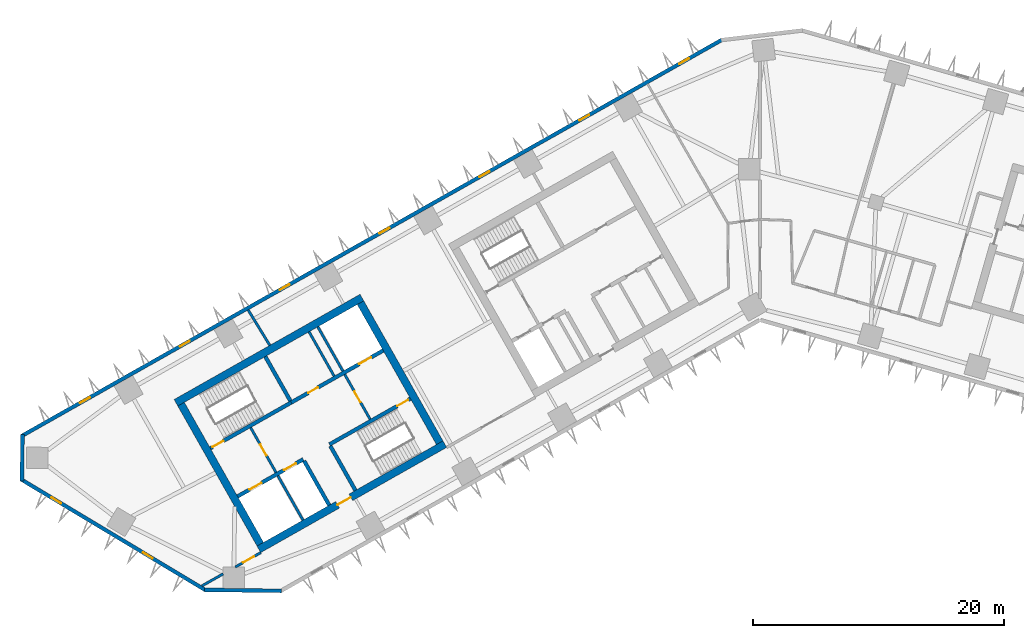
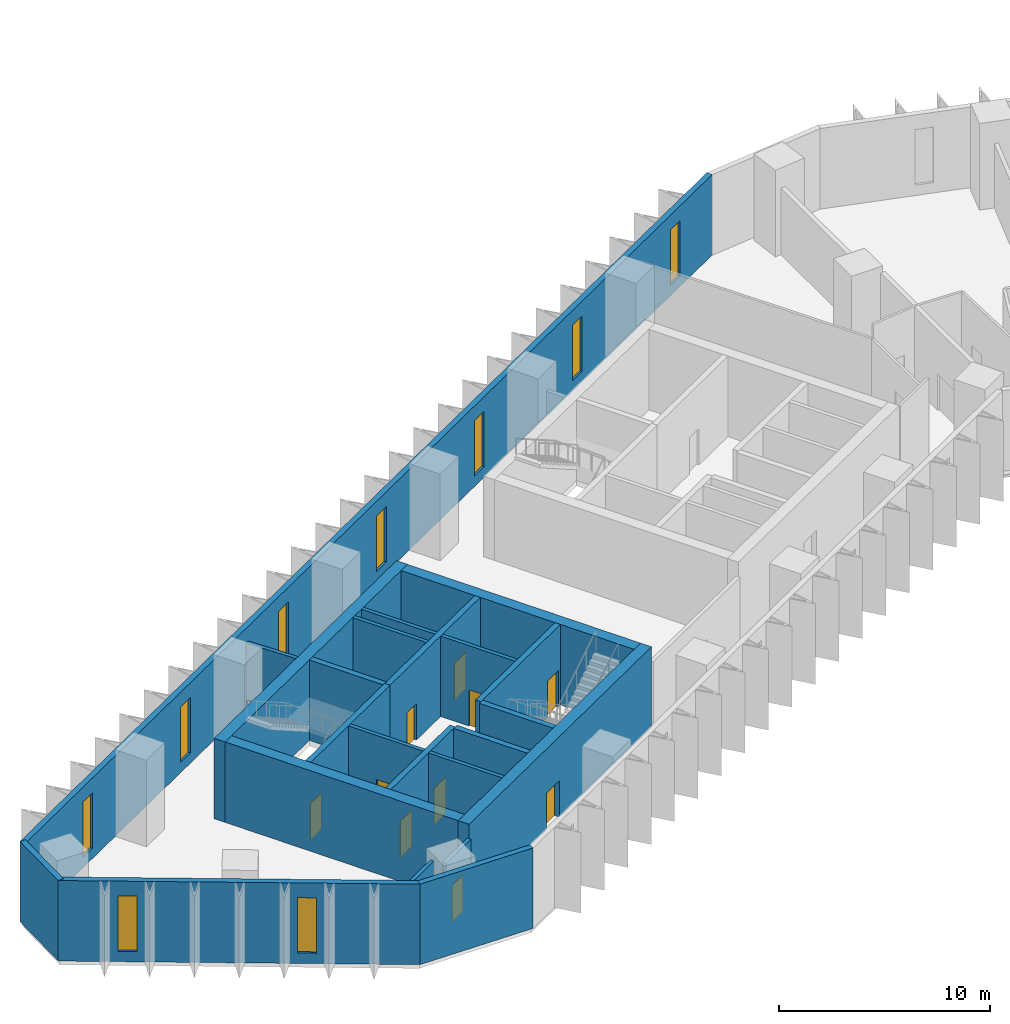
# One storey, part 3 of 11: 23 walls, 10 doors, 9 windows, 19 openings.
"""IFC4 building model written with IfcOpenShell, lengths in metres."""

import ifcopenshell
import ifcopenshell.guid

model = None  # the IFC model being written
_history = None  # IfcOwnerHistory: only IFC2X3 demands one
_inside = {}  # id of a spatial element -> (the spatial element, [elements in it])
_under = {}  # id of a project, library or spatial element -> (it, [spatial elements below it])
_declared = {}  # id of a project -> (the project, [libraries it declares])
_typed = {}  # id of a type object -> (the type object, [elements of that type])
_made_of = {}  # id of a material, layer set ... -> (it, [elements and type objects made of it])


def new_model(schema):
    """Start an empty IFC model of exactly this schema.

    Asked for "IFC4X3", IfcOpenShell would pick the latest addendum, in which some entities
    have other attributes; the version numbers below select the first issue.
    IFC2X3 requires an IfcOwnerHistory on every rooted entity: one is made here for all.
    """
    global model, _history
    if schema == "IFC4X3":
        model = ifcopenshell.file(schema_version=(4, 3, 0, 0))
    else:
        model = ifcopenshell.file(schema=schema)
    _inside.clear()
    _under.clear()
    _declared.clear()
    _typed.clear()
    _made_of.clear()
    _history = None
    if model.schema == "IFC2X3":
        org = make("IfcOrganization", Name="unknown")
        user = make(
            "IfcPersonAndOrganization",
            ThePerson=make("IfcPerson", FamilyName="unknown"),
            TheOrganization=org,
        )
        app = make(
            "IfcApplication",
            ApplicationDeveloper=org,
            Version="unknown",
            ApplicationFullName="unknown",
            ApplicationIdentifier="unknown",
        )
        _history = make(
            "IfcOwnerHistory",
            OwningUser=user,
            OwningApplication=app,
            ChangeAction="ADDED",
            CreationDate=0,
        )
    return model


def make(cls, **values):
    """One entity of the class cls with the attributes given. An attribute that is None is left unset."""
    return model.create_entity(
        cls, **{name: value for name, value in values.items() if value is not None}
    )


def rooted(cls, **values):
    """An entity with a GlobalId (a new one), such as an element, a storey or a relation."""
    return make(cls, GlobalId=ifcopenshell.guid.new(), OwnerHistory=_history, **values)


def si_unit(unit_type, name, prefix=None):
    """IfcSIUnit, for example si_unit("LENGTHUNIT", "METRE", prefix="MILLI")."""
    return make("IfcSIUnit", UnitType=unit_type, Prefix=prefix, Name=name)


def assignment(units):
    """IfcUnitAssignment: the units of a project."""
    return None if units is None else make("IfcUnitAssignment", Units=units)


def point(xyz):
    """IfcCartesianPoint."""
    return None if xyz is None else make("IfcCartesianPoint", Coordinates=xyz)


def direction(xyz):
    """IfcDirection."""
    return None if xyz is None else make("IfcDirection", DirectionRatios=xyz)


def frame(location, z_axis=None, x_axis=None):
    """IfcAxis2Placement3D, a coordinate frame: its origin and axes. An axis left out is left unset."""
    return make(
        "IfcAxis2Placement3D",
        Location=point(location),
        Axis=direction(z_axis),
        RefDirection=direction(x_axis),
    )


def frame_2d(location, x_axis=None):
    """IfcAxis2Placement2D, a coordinate frame in the plane: its origin and x axis."""
    return make(
        "IfcAxis2Placement2D", Location=point(location), RefDirection=direction(x_axis)
    )


def origin():
    """The frame at (0, 0, 0) with its axes left unset."""
    return frame((0.0, 0.0, 0.0))


def place(relative_to, where):
    """IfcLocalPlacement: puts the frame where relative to a parent placement (None: the world)."""
    return make(
        "IfcLocalPlacement", PlacementRelTo=relative_to, RelativePlacement=where
    )


def context(
    kind, dimensions, precision=None, world=None, true_north=None, identifier=None
):
    """IfcGeometricRepresentationContext, for example the 3D "Model" context."""
    return make(
        "IfcGeometricRepresentationContext",
        ContextIdentifier=identifier,
        ContextType=kind,
        CoordinateSpaceDimension=dimensions,
        Precision=precision,
        WorldCoordinateSystem=world,
        TrueNorth=true_north,
    )


def subcontext(parent, identifier, kind, view, scale=None):
    """IfcGeometricRepresentationSubContext, for example "Body" below "Model"."""
    return make(
        "IfcGeometricRepresentationSubContext",
        ContextIdentifier=identifier,
        ContextType=kind,
        ParentContext=parent,
        TargetScale=scale,
        TargetView=view,
    )


def project(units=None, contexts=None):
    """IfcProject with its units and contexts."""
    return rooted(
        "IfcProject",
        Name="project",
        RepresentationContexts=contexts,
        UnitsInContext=assignment(units),
    )


def spatial(cls, under=None, at=None, **own):
    """A site, building, storey or space (cls), placed at a placement, below another one or the project."""
    s = rooted(cls, ObjectPlacement=at, **own)
    if under is not None:
        _under.setdefault(under.id(), (under, []))[1].append(s)
    return s


def profile(cls, at=None, kind="AREA", **sizes):
    """A parametric profile (cls). Its sizes go by their IFC names, for example OverallWidth=200.0."""
    return make(cls, ProfileType=kind, Position=at, **sizes)


def rectangle(**sizes):
    """IfcRectangleProfileDef."""
    return profile("IfcRectangleProfileDef", **sizes)


def extrude(swept, where, along, depth):
    """IfcExtrudedAreaSolid: the profile swept, set in the frame where, extruded along a direction by depth."""
    return make(
        "IfcExtrudedAreaSolid",
        SweptArea=swept,
        Position=where,
        ExtrudedDirection=direction(along),
        Depth=depth,
    )


def shape(context_of_items, identifier, shape_type, items):
    """IfcShapeRepresentation: the items that make up one representation, for example the "Body"."""
    return make(
        "IfcShapeRepresentation",
        ContextOfItems=context_of_items,
        RepresentationIdentifier=identifier,
        RepresentationType=shape_type,
        Items=items,
    )


def material(Name=None, Category=None):
    """IfcMaterial."""
    return make("IfcMaterial", Name=Name, Category=Category)


def layer(
    of_material, thickness, ventilated=None, Name=None, Category=None, Priority=None
):
    """IfcMaterialLayer: one layer of a wall or slab, of a material (None: an air gap)."""
    return make(
        "IfcMaterialLayer",
        Material=of_material,
        LayerThickness=thickness,
        IsVentilated=ventilated,
        Name=Name,
        Category=Category,
        Priority=Priority,
    )


def layer_set(layers, Name=None):
    """IfcMaterialLayerSet."""
    return make("IfcMaterialLayerSet", MaterialLayers=layers, LayerSetName=Name)


def made_of(thing, what):
    """Note that an element or type object is made of a material, layer set ...; save() writes the relation."""
    if what is not None:
        _made_of.setdefault(what.id(), (what, []))[1].append(thing)
    return thing


def type_object(cls, material=None, **own):
    """A type object (cls), such as IfcWallType, which elements share."""
    return made_of(rooted(cls, **own), material)


def element(
    cls,
    number,
    at=None,
    inside=None,
    cuts=None,
    type_object=None,
    material=None,
    context=None,
    identifier="Body",
    shape_type=None,
    held_by="IfcProductDefinitionShape",
    body=None,
    shapes=None,
    **own,
):
    """One element of the class cls, such as IfcWall. Its Tag is "e" and its number.

    at: its placement. inside: the storey or other place that contains it. cuts: it is an
    opening in that element (IfcRelVoidsElement). A single representation is given by context,
    identifier, shape_type and body (its items); several are given by shapes. held_by: the class
    of the entity that holds the representations. save() writes the other relations.
    """
    e = rooted(cls, Tag="e%d" % number, ObjectPlacement=at, **own)
    if body is not None:
        shapes = [shape(context, identifier, shape_type, body)]
    if shapes is not None:
        e.Representation = make(held_by, Representations=shapes)
    if inside is not None:
        _inside.setdefault(inside.id(), (inside, []))[1].append(e)
    if cuts is not None:
        rooted(
            "IfcRelVoidsElement", RelatingBuildingElement=cuts, RelatedOpeningElement=e
        )
    if type_object is not None:
        _typed.setdefault(type_object.id(), (type_object, []))[1].append(e)
    return made_of(e, material)


def fill(opening, filler):
    """IfcRelFillsElement: the door or window that sits in an opening."""
    return rooted(
        "IfcRelFillsElement",
        RelatingOpeningElement=opening,
        RelatedBuildingElement=filler,
    )


def aggregate(whole, parts):
    """IfcRelAggregates: a whole, such as a stair, and the parts it consists of."""
    return rooted("IfcRelAggregates", RelatingObject=whole, RelatedObjects=parts)


def save(model, path):
    """Write the relations noted so far, then the file.

    IfcRelAggregates (storeys below a building ...), IfcRelContainedInSpatialStructure (elements
    in a storey), IfcRelDefinesByType, IfcRelAssociatesMaterial and IfcRelDeclares: one each for
    every whole, place, type object, material and project.
    """
    for whole, parts in _under.values():
        aggregate(whole, parts)
    for where, things in _inside.values():
        rooted(
            "IfcRelContainedInSpatialStructure",
            RelatedElements=things,
            RelatingStructure=where,
        )
    for kind, things in _typed.values():
        rooted("IfcRelDefinesByType", RelatedObjects=things, RelatingType=kind)
    for what, things in _made_of.values():
        rooted("IfcRelAssociatesMaterial", RelatedObjects=things, RelatingMaterial=what)
    for by, libraries in _declared.values():
        rooted("IfcRelDeclares", RelatingContext=by, RelatedDefinitions=libraries)
    model.write(path)


model = new_model("IFC4")

# Units and contexts
model_context = context("Model", 3, precision=1e-05, world=origin(), true_north=direction((0.0, 1.0)))
body_context = subcontext(model_context, "Body", "Model", "MODEL_VIEW")
ifc_project = project(units=[si_unit("LENGTHUNIT", "METRE"), si_unit("AREAUNIT", "SQUARE_METRE"), si_unit("VOLUMEUNIT", "CUBIC_METRE"), si_unit("PLANEANGLEUNIT", "RADIAN"), si_unit("MASSUNIT", "GRAM", prefix="KILO")], contexts=[model_context])

# Site, building, storey
site_placement = place(None, origin())
site = spatial("IfcSite", under=ifc_project, at=site_placement, CompositionType="ELEMENT")
building_placement = place(site_placement, origin())
building = spatial("IfcBuilding", under=site, at=building_placement, Name="Binnacle Exchange Tower", CompositionType="ELEMENT")
storey_placement = place(building_placement, frame((0.0, 0.0, 86.5)))
storey = spatial("IfcBuildingStorey", under=building, at=storey_placement, Name="L17", CompositionType="ELEMENT", Elevation=86.5)

# Wall, openings, doors
ifc_material_1 = material(Name="Concrete C70/85", Category="concrete")
ifc_layer_1 = layer(ifc_material_1, 0.300048828125)
ifc_layer_set_1 = layer_set([ifc_layer_1], Name="Core wall - front 300")
wall_type_1 = type_object("IfcWallType", Name="Core wall - front 300", PredefinedType="SOLIDWALL", material=ifc_layer_set_1)
wall_1_placement = place(storey_placement, frame((-41.555908203125, 33.9609375, 0.0), z_axis=(0.0, 0.0, 1.0), x_axis=(0.870343731308, 0.492444706919, 0.0)))
wall_1 = element("IfcWall", 1, at=wall_1_placement, inside=storey, type_object=wall_type_1, Name="Core wall CRWA2", PredefinedType="SOLIDWALL", context=body_context, shape_type="SweptSolid", body=[
    extrude(rectangle(XDim=5.999755859375, YDim=0.300048828125, at=frame_2d((3.0, 0.0))), origin(), (0.0, 0.0, 1.0), 4.64990234375),
])
opening_1_placement = place(wall_1_placement, frame((1.099853515625, 0.0, 0.0)))
opening_1 = element("IfcOpeningElement", 2, at=opening_1_placement, cuts=wall_1, Name="Opening LD12", PredefinedType="OPENING", context=body_context, shape_type="SweptSolid", body=[
    extrude(rectangle(XDim=1.10009765625, YDim=2.10009765625, at=frame_2d((0.550048828125, 1.050048828125))), frame((0.0, 0.159912109375, 0.0), z_axis=(0.0, -1.0, 0.0), x_axis=(1.0, 0.0, 0.0)), (0.0, 0.0, 1.0), 0.320068359375),
])
opening_2_placement = place(wall_1_placement, frame((4.25, 0.0, 0.0)))
opening_2 = element("IfcOpeningElement", 3, at=opening_2_placement, cuts=wall_1, Name="Opening LD8", PredefinedType="OPENING", context=body_context, shape_type="SweptSolid", body=[
    extrude(rectangle(XDim=1.10009765625, YDim=2.10009765625, at=frame_2d((0.550048828125, 1.050048828125))), frame((0.0, 0.159912109375, 0.0), z_axis=(0.0, -1.0, 0.0), x_axis=(1.0, 0.0, 0.0)), (0.0, 0.0, 1.0), 0.320068359375),
])
ifc_material_2 = material(Name="Steel door leaf", Category="steel")
door_type_1 = type_object("IfcDoorType", Name="Fire door - lift landing 1100", OperationType="NOTDEFINED", PredefinedType="DOOR", material=ifc_material_2)
door_1_placement = place(opening_1_placement, origin())
door_1 = element("IfcDoor", 4, at=door_1_placement, inside=storey, type_object=door_type_1, Name="Landing door LD12 L17", OperationType="DOUBLE_DOOR_SLIDING", OverallHeight=2.10009765625, OverallWidth=1.10009765625, PredefinedType="DOOR", context=body_context, shape_type="SweptSolid", body=[
    extrude(rectangle(XDim=1.10009765625, YDim=2.10009765625, at=frame_2d((0.550048828125, 1.050048828125))), frame((0.0, 0.02490234375, 0.0), z_axis=(0.0, -1.0, 0.0), x_axis=(1.0, 0.0, 0.0)), (0.0, 0.0, 1.0), 0.050048828125),
])
fill(opening_1, door_1)
door_2_placement = place(opening_2_placement, origin())
door_2 = element("IfcDoor", 5, at=door_2_placement, inside=storey, type_object=door_type_1, Name="Landing door LD8 L17", OperationType="DOUBLE_DOOR_SLIDING", OverallHeight=2.10009765625, OverallWidth=1.10009765625, PredefinedType="DOOR", context=body_context, shape_type="SweptSolid", body=[
    extrude(rectangle(XDim=1.10009765625, YDim=2.10009765625, at=frame_2d((0.550048828125, 1.050048828125))), frame((0.0, 0.02490234375, 0.0), z_axis=(0.0, -1.0, 0.0), x_axis=(1.0, 0.0, 0.0)), (0.0, 0.0, 1.0), 0.050048828125),
])
fill(opening_2, door_2)

wall_2_placement = place(storey_placement, frame((-37.281982421875, 41.4345703125, 0.0), z_axis=(0.0, 0.0, 1.0), x_axis=(0.870356516133, 0.492422110414, 0.0)))
wall_2 = element("IfcWall", 6, at=wall_2_placement, inside=storey, type_object=wall_type_1, Name="Core wall CRWA5", PredefinedType="SOLIDWALL", context=body_context, shape_type="SweptSolid", body=[
    extrude(rectangle(XDim=8.399658203125, YDim=0.300048828125, at=frame_2d((4.19970703125, 0.0))), origin(), (0.0, 0.0, 1.0), 4.64990234375),
])
opening_3_placement = place(wall_2_placement, frame((6.199951171875, 0.0, 0.0)))
opening_3 = element("IfcOpeningElement", 7, at=opening_3_placement, cuts=wall_2, Name="Opening LD13", PredefinedType="OPENING", context=body_context, shape_type="SweptSolid", body=[
    extrude(rectangle(XDim=1.10009765625, YDim=2.10009765625, at=frame_2d((0.550048828125, 1.050048828125))), frame((0.0, 0.159912109375, 0.0), z_axis=(0.0, -1.0, 0.0), x_axis=(1.0, 0.0, 0.0)), (0.0, 0.0, 1.0), 0.320068359375),
])
opening_4_placement = place(wall_2_placement, frame((1.550048828125, 0.0, 0.0)))
opening_4 = element("IfcOpeningElement", 8, at=opening_4_placement, cuts=wall_2, Name="Opening DA10", PredefinedType="OPENING", context=body_context, shape_type="SweptSolid", body=[
    extrude(rectangle(XDim=0.89990234375, YDim=2.10009765625, at=frame_2d((0.449951171875, 1.050048828125))), frame((0.0, 0.159912109375, 0.0), z_axis=(0.0, -1.0, 0.0), x_axis=(1.0, 0.0, 0.0)), (0.0, 0.0, 1.0), 0.320068359375),
])
door_3_placement = place(opening_3_placement, origin())
door_3 = element("IfcDoor", 9, at=door_3_placement, inside=storey, type_object=door_type_1, Name="Landing door LD13 L17", OperationType="DOUBLE_DOOR_SLIDING", OverallHeight=2.10009765625, OverallWidth=1.10009765625, PredefinedType="DOOR", context=body_context, shape_type="SweptSolid", body=[
    extrude(rectangle(XDim=1.10009765625, YDim=2.10009765625, at=frame_2d((0.550048828125, 1.050048828125))), frame((0.0, 0.02490234375, 0.0), z_axis=(0.0, -1.0, 0.0), x_axis=(1.0, 0.0, 0.0)), (0.0, 0.0, 1.0), 0.050048828125),
])
fill(opening_3, door_3)
door_type_2 = type_object("IfcDoorType", Name="Fire door 900", OperationType="NOTDEFINED", PredefinedType="DOOR", material=ifc_material_2)
door_4_placement = place(opening_4_placement, origin())
door_4 = element("IfcDoor", 10, at=door_4_placement, inside=storey, type_object=door_type_2, Name="Core room door LINEN AND SUPPLIES STORE", OperationType="SINGLE_SWING_LEFT", OverallHeight=2.10009765625, OverallWidth=0.89990234375, PredefinedType="DOOR", context=body_context, shape_type="SweptSolid", body=[
    extrude(rectangle(XDim=0.89990234375, YDim=2.10009765625, at=frame_2d((0.449951171875, 1.050048828125))), frame((0.0, 0.02490234375, 0.0), z_axis=(0.0, -1.0, 0.0), x_axis=(1.0, 0.0, 0.0)), (0.0, 0.0, 1.0), 0.050048828125),
])
fill(opening_4, door_4)

# Wall
wall_3_placement = place(storey_placement, frame((-36.260009765625, 36.784912109375, 0.0), z_axis=(0.0, 0.0, 1.0), x_axis=(0.492440575896, -0.870346068648, 0.0)))
element("IfcWall", 11, at=wall_3_placement, inside=storey, type_object=wall_type_1, Name="Core wall CRWA13", PredefinedType="SOLIDWALL", context=body_context, shape_type="SweptSolid", body=[
    extrude(rectangle(XDim=4.050048828125, YDim=0.300048828125, at=frame_2d((2.02490234375, 0.0))), origin(), (0.0, 0.0, 1.0), 4.64990234375),
])

# Wall, opening, door
ifc_layer_2 = layer(ifc_material_1, 0.60009765625)
ifc_layer_set_2 = layer_set([ifc_layer_2], Name="Core wall - outer 600")
wall_type_2 = type_object("IfcWallType", Name="Core wall - outer 600", PredefinedType="SOLIDWALL", material=ifc_layer_set_2)
wall_4_placement = place(storey_placement, frame((-39.8623046875, 29.748779296875, 0.0), z_axis=(0.0, 0.0, 1.0), x_axis=(0.870350116061, 0.492433422375, 0.0)))
wall_4 = element("IfcWall", 12, at=wall_4_placement, inside=storey, type_object=wall_type_2, Name="Core wall CRWA1", PredefinedType="SOLIDWALL", context=body_context, shape_type="SweptSolid", body=[
    extrude(rectangle(XDim=17.0, YDim=0.60009765625, at=frame_2d((8.5, 0.0))), origin(), (0.0, 0.0, 1.0), 4.64990234375),
])
opening_5_placement = place(wall_4_placement, frame((7.199951171875, 0.0, 0.0)))
opening_5 = element("IfcOpeningElement", 13, at=opening_5_placement, cuts=wall_4, Name="Opening DA7", PredefinedType="OPENING", context=body_context, shape_type="SweptSolid", body=[
    extrude(rectangle(XDim=1.199951171875, YDim=2.10009765625, at=frame_2d((0.60009765625, 1.050048828125))), frame((0.0, 0.31005859375, 0.0), z_axis=(0.0, -1.0, 0.0), x_axis=(1.0, 0.0, 0.0)), (0.0, 0.0, 1.0), 0.6201171875),
])
door_type_3 = type_object("IfcDoorType", Name="Fire door 1200", OperationType="NOTDEFINED", PredefinedType="DOOR", material=ifc_material_2)
door_5_placement = place(opening_5_placement, frame((1.199951171875, 0.0, 0.0), z_axis=(0.0, 0.0, 1.0), x_axis=(-1.0, 0.0, 0.0)))
door_5 = element("IfcDoor", 14, at=door_5_placement, inside=storey, type_object=door_type_3, Name="Lift lobby entrance door core A", OperationType="SINGLE_SWING_RIGHT", OverallHeight=2.10009765625, OverallWidth=1.199951171875, PredefinedType="DOOR", context=body_context, shape_type="SweptSolid", body=[
    extrude(rectangle(XDim=1.199951171875, YDim=2.10009765625, at=frame_2d((0.60009765625, 1.050048828125))), frame((0.0, 0.02490234375, 0.0), z_axis=(0.0, -1.0, 0.0), x_axis=(1.0, 0.0, 0.0)), (0.0, 0.0, 1.0), 0.050048828125),
])
fill(opening_5, door_5)

# Walls
wall_5_placement = place(storey_placement, frame((-46.460693359375, 41.41162109375, 0.0), z_axis=(0.0, 0.0, 1.0), x_axis=(0.870350116061, 0.492433422375, 0.0)))
element("IfcWall", 15, at=wall_5_placement, inside=storey, type_object=wall_type_2, Name="Core wall CRWA6", PredefinedType="SOLIDWALL", context=body_context, shape_type="SweptSolid", body=[
    extrude(rectangle(XDim=17.0, YDim=0.60009765625, at=frame_2d((8.5, 0.0))), origin(), (0.0, 0.0, 1.0), 4.64990234375),
])
for number, where, z_axis, x_axis, name in (
    (16, (-46.052001953125, 41.29833984375, 0.0), (0.0, 0.0, 1.0), (0.492418598281, -0.870358503186, 0.0), "Core wall CRWA7"),
    (17, (-31.7783203125, 49.3740234375, 0.0), (0.0, 0.0, 1.0), (0.492433046652, -0.870350328641, 0.0), "Core wall CRWA22"),
):
    element("IfcWall", number, at=place(storey_placement, frame(where, z_axis=z_axis, x_axis=x_axis)), inside=storey, type_object=wall_type_2, Name=name, PredefinedType="SOLIDWALL", context=body_context, shape_type="SweptSolid", body=[
        extrude(rectangle(XDim=12.800048828125, YDim=0.60009765625, at=frame_2d((6.39990234375, 0.0))), origin(), (0.0, 0.0, 1.0), 4.64990234375),
    ])

# Wall, opening, door
ifc_layer_3 = layer(ifc_material_1, 0.300048828125)
ifc_layer_set_3 = layer_set([ifc_layer_3], Name="Core wall - stair 300")
wall_type_3 = type_object("IfcWallType", Name="Core wall - stair 300", PredefinedType="SOLIDWALL", material=ifc_layer_set_3)
wall_6_placement = place(storey_placement, frame((-34.2451171875, 38.097412109375, 0.0), z_axis=(0.0, 0.0, 1.0), x_axis=(0.870364910201, 0.492407273597, 0.0)))
wall_6 = element("IfcWall", 18, at=wall_6_placement, inside=storey, type_object=wall_type_3, Name="Core wall CRWA3", PredefinedType="SOLIDWALL", context=body_context, shape_type="SweptSolid", body=[
    extrude(rectangle(XDim=7.39990234375, YDim=0.300048828125, at=frame_2d((3.699951171875, 0.0))), origin(), (0.0, 0.0, 1.0), 4.64990234375),
])
opening_6_placement = place(wall_6_placement, frame((6.199951171875, 0.0, 0.0)))
opening_6 = element("IfcOpeningElement", 19, at=opening_6_placement, cuts=wall_6, Name="Opening DA2", PredefinedType="OPENING", context=body_context, shape_type="SweptSolid", body=[
    extrude(rectangle(XDim=1.0, YDim=2.10009765625, at=frame_2d((0.5, 1.050048828125))), frame((0.0, 0.159912109375, 0.0), z_axis=(0.0, -1.0, 0.0), x_axis=(1.0, 0.0, 0.0)), (0.0, 0.0, 1.0), 0.320068359375),
])
door_type_4 = type_object("IfcDoorType", Name="Fire door 1000", OperationType="NOTDEFINED", PredefinedType="DOOR", material=ifc_material_2)
door_6_placement = place(opening_6_placement, frame((1.0, 0.0, 0.0), z_axis=(0.0, 0.0, 1.0), x_axis=(-1.0, 0.0, 0.0)))
door_6 = element("IfcDoor", 20, at=door_6_placement, inside=storey, type_object=door_type_4, Name="Stair door ST-A2", OperationType="SINGLE_SWING_LEFT", OverallHeight=2.10009765625, OverallWidth=1.0, PredefinedType="DOOR", context=body_context, shape_type="SweptSolid", body=[
    extrude(rectangle(XDim=1.0, YDim=2.10009765625, at=frame_2d((0.5, 1.050048828125))), frame((0.0, 0.02490234375, 0.0), z_axis=(0.0, -1.0, 0.0), x_axis=(1.0, 0.0, 0.0)), (0.0, 0.0, 1.0), 0.050048828125),
])
fill(opening_6, door_6)

wall_7_placement = place(storey_placement, frame((-43.72265625, 37.79052734375, 0.0), z_axis=(0.0, 0.0, 1.0), x_axis=(0.87035077051, 0.49243226567, 0.0)))
wall_7 = element("IfcWall", 21, at=wall_7_placement, inside=storey, type_object=wall_type_3, Name="Core wall CRWA4", PredefinedType="SOLIDWALL", context=body_context, shape_type="SweptSolid", body=[
    extrude(rectangle(XDim=7.400146484375, YDim=0.300048828125, at=frame_2d((3.7001953125, 0.0))), origin(), (0.0, 0.0, 1.0), 4.64990234375),
])
opening_7_placement = place(wall_7_placement, frame((0.199951171875, 0.0, 0.0)))
opening_7 = element("IfcOpeningElement", 22, at=opening_7_placement, cuts=wall_7, Name="Opening DA1", PredefinedType="OPENING", context=body_context, shape_type="SweptSolid", body=[
    extrude(rectangle(XDim=1.0, YDim=2.10009765625, at=frame_2d((0.5, 1.050048828125))), frame((0.0, 0.159912109375, 0.0), z_axis=(0.0, -1.0, 0.0), x_axis=(1.0, 0.0, 0.0)), (0.0, 0.0, 1.0), 0.320068359375),
])
door_7_placement = place(opening_7_placement, origin())
door_7 = element("IfcDoor", 23, at=door_7_placement, inside=storey, type_object=door_type_4, Name="Stair door ST-A1", OperationType="SINGLE_SWING_LEFT", OverallHeight=2.10009765625, OverallWidth=1.0, PredefinedType="DOOR", context=body_context, shape_type="SweptSolid", body=[
    extrude(rectangle(XDim=1.0, YDim=2.10009765625, at=frame_2d((0.5, 1.050048828125))), frame((0.0, 0.02490234375, 0.0), z_axis=(0.0, -1.0, 0.0), x_axis=(1.0, 0.0, 0.0)), (0.0, 0.0, 1.0), 0.050048828125),
])
fill(opening_7, door_7)

# Walls
wall_8_placement = place(storey_placement, frame((-39.350341796875, 45.090087890625, 0.0), z_axis=(0.0, 0.0, 1.0), x_axis=(0.49241474071, -0.870360685654, 0.0)))
element("IfcWall", 24, at=wall_8_placement, inside=storey, type_object=wall_type_3, Name="Core wall CRWA14", PredefinedType="SOLIDWALL", context=body_context, shape_type="SweptSolid", body=[
    extrude(rectangle(XDim=4.05029296875, YDim=0.300048828125, at=frame_2d((2.025146484375, 0.0))), origin(), (0.0, 0.0, 1.0), 4.64990234375),
])
wall_9_placement = place(storey_placement, frame((-34.171142578125, 37.966796875, 0.0), z_axis=(0.0, 0.0, 1.0), x_axis=(0.492394910396, -0.870371904542, 0.0)))
element("IfcWall", 25, at=wall_9_placement, inside=storey, type_object=wall_type_3, Name="Core wall CRWA16", PredefinedType="SOLIDWALL", context=body_context, shape_type="SweptSolid", body=[
    extrude(rectangle(XDim=4.0498046875, YDim=0.300048828125, at=frame_2d((2.02490234375, 0.0))), origin(), (0.0, 0.0, 1.0), 4.64990234375),
])

# Wall, openings, windows
ifc_material_3 = material(Name="Bronze aluminium cladding", Category="aluminium")
ifc_layer_4 = layer(ifc_material_3, 0.300048828125)
ifc_layer_set_4 = layer_set([ifc_layer_4], Name="External wall - spandrel 300")
wall_type_4 = type_object("IfcWallType", Name="External wall - spandrel 300", PredefinedType="STANDARD", material=ifc_layer_set_4)
wall_10_placement = place(storey_placement, frame((-58.744873046875, 38.763671875, 0.0), z_axis=(0.0, 0.0, 1.0), x_axis=(0.870355811726, 0.492423355453, 0.0)))
wall_10 = element("IfcWall", 26, at=wall_10_placement, inside=storey, type_object=wall_type_4, Name="External wall EW-F03 L17", PredefinedType="STANDARD", context=body_context, shape_type="SweptSolid", body=[
    extrude(rectangle(XDim=64.025390625, YDim=0.300048828125, at=frame_2d((32.0126953125, 0.0))), origin(), (0.0, 0.0, 1.0), 4.64990234375),
])
opening_8_placement = place(wall_10_placement, frame((60.12158203125, 0.0, 0.60009765625)))
opening_8 = element("IfcOpeningElement", 27, at=opening_8_placement, cuts=wall_10, Name="Opening WS1", PredefinedType="OPENING", context=body_context, shape_type="SweptSolid", body=[
    extrude(rectangle(XDim=0.89990234375, YDim=3.199951171875, at=frame_2d((0.449951171875, 1.60009765625))), frame((0.0, 0.159912109375, 0.0), z_axis=(0.0, -1.0, 0.0), x_axis=(1.0, 0.0, 0.0)), (0.0, 0.0, 1.0), 0.320068359375),
])
opening_9_placement = place(wall_10_placement, frame((50.99169921875, 0.0, 0.60009765625)))
opening_9 = element("IfcOpeningElement", 28, at=opening_9_placement, cuts=wall_10, Name="Opening WS1", PredefinedType="OPENING", context=body_context, shape_type="SweptSolid", body=[
    extrude(rectangle(XDim=0.89990234375, YDim=3.199951171875, at=frame_2d((0.449951171875, 1.60009765625))), frame((0.0, 0.159912109375, 0.0), z_axis=(0.0, -1.0, 0.0), x_axis=(1.0, 0.0, 0.0)), (0.0, 0.0, 1.0), 0.320068359375),
])
opening_10_placement = place(wall_10_placement, frame((41.86181640625, 0.0, 0.60009765625)))
opening_10 = element("IfcOpeningElement", 29, at=opening_10_placement, cuts=wall_10, Name="Opening WS1", PredefinedType="OPENING", context=body_context, shape_type="SweptSolid", body=[
    extrude(rectangle(XDim=0.89990234375, YDim=3.199951171875, at=frame_2d((0.449951171875, 1.60009765625))), frame((0.0, 0.159912109375, 0.0), z_axis=(0.0, -1.0, 0.0), x_axis=(1.0, 0.0, 0.0)), (0.0, 0.0, 1.0), 0.320068359375),
])
opening_11_placement = place(wall_10_placement, frame((32.73193359375, 0.0, 0.60009765625)))
opening_11 = element("IfcOpeningElement", 30, at=opening_11_placement, cuts=wall_10, Name="Opening WS1", PredefinedType="OPENING", context=body_context, shape_type="SweptSolid", body=[
    extrude(rectangle(XDim=0.89990234375, YDim=3.199951171875, at=frame_2d((0.449951171875, 1.60009765625))), frame((0.0, 0.159912109375, 0.0), z_axis=(0.0, -1.0, 0.0), x_axis=(1.0, 0.0, 0.0)), (0.0, 0.0, 1.0), 0.320068359375),
])
opening_12_placement = place(wall_10_placement, frame((23.60205078125, 0.0, 0.60009765625)))
opening_12 = element("IfcOpeningElement", 31, at=opening_12_placement, cuts=wall_10, Name="Opening WS1", PredefinedType="OPENING", context=body_context, shape_type="SweptSolid", body=[
    extrude(rectangle(XDim=0.89990234375, YDim=3.199951171875, at=frame_2d((0.449951171875, 1.60009765625))), frame((0.0, 0.159912109375, 0.0), z_axis=(0.0, -1.0, 0.0), x_axis=(1.0, 0.0, 0.0)), (0.0, 0.0, 1.0), 0.320068359375),
])
opening_13_placement = place(wall_10_placement, frame((14.47216796875, 0.0, 0.60009765625)))
opening_13 = element("IfcOpeningElement", 32, at=opening_13_placement, cuts=wall_10, Name="Opening WS1", PredefinedType="OPENING", context=body_context, shape_type="SweptSolid", body=[
    extrude(rectangle(XDim=0.89990234375, YDim=3.199951171875, at=frame_2d((0.449951171875, 1.60009765625))), frame((0.0, 0.159912109375, 0.0), z_axis=(0.0, -1.0, 0.0), x_axis=(1.0, 0.0, 0.0)), (0.0, 0.0, 1.0), 0.320068359375),
])
opening_14_placement = place(wall_10_placement, frame((5.34228515625, 0.0, 0.60009765625)))
opening_14 = element("IfcOpeningElement", 33, at=opening_14_placement, cuts=wall_10, Name="Opening WS1", PredefinedType="OPENING", context=body_context, shape_type="SweptSolid", body=[
    extrude(rectangle(XDim=0.89990234375, YDim=3.199951171875, at=frame_2d((0.449951171875, 1.60009765625))), frame((0.0, 0.159912109375, 0.0), z_axis=(0.0, -1.0, 0.0), x_axis=(1.0, 0.0, 0.0)), (0.0, 0.0, 1.0), 0.320068359375),
])
ifc_material_4 = material(Name="Bronze anodised aluminium frame", Category="aluminium")
window_type = type_object("IfcWindowType", Name="WS1 WINDOW 900x3200", PartitioningType="SINGLE_PANEL", PredefinedType="WINDOW", material=ifc_material_4)
window_1_placement = place(opening_8_placement, origin())
window_1 = element("IfcWindow", 34, at=window_1_placement, inside=storey, type_object=window_type, Name="Window WS1 L17", OverallHeight=3.199951171875, OverallWidth=0.89990234375, PartitioningType="SINGLE_PANEL", PredefinedType="WINDOW", context=body_context, shape_type="SweptSolid", body=[
    extrude(rectangle(XDim=0.89990234375, YDim=3.199951171875, at=frame_2d((0.449951171875, 1.60009765625))), frame((0.0, 0.030029296875, 0.0), z_axis=(0.0, -1.0, 0.0), x_axis=(1.0, 0.0, 0.0)), (0.0, 0.0, 1.0), 0.06005859375),
])
fill(opening_8, window_1)
window_2_placement = place(opening_9_placement, origin())
window_2 = element("IfcWindow", 35, at=window_2_placement, inside=storey, type_object=window_type, Name="Window WS1 L17", OverallHeight=3.199951171875, OverallWidth=0.89990234375, PartitioningType="SINGLE_PANEL", PredefinedType="WINDOW", context=body_context, shape_type="SweptSolid", body=[
    extrude(rectangle(XDim=0.89990234375, YDim=3.199951171875, at=frame_2d((0.449951171875, 1.60009765625))), frame((0.0, 0.030029296875, 0.0), z_axis=(0.0, -1.0, 0.0), x_axis=(1.0, 0.0, 0.0)), (0.0, 0.0, 1.0), 0.06005859375),
])
fill(opening_9, window_2)
window_3_placement = place(opening_10_placement, origin())
window_3 = element("IfcWindow", 36, at=window_3_placement, inside=storey, type_object=window_type, Name="Window WS1 L17", OverallHeight=3.199951171875, OverallWidth=0.89990234375, PartitioningType="SINGLE_PANEL", PredefinedType="WINDOW", context=body_context, shape_type="SweptSolid", body=[
    extrude(rectangle(XDim=0.89990234375, YDim=3.199951171875, at=frame_2d((0.449951171875, 1.60009765625))), frame((0.0, 0.030029296875, 0.0), z_axis=(0.0, -1.0, 0.0), x_axis=(1.0, 0.0, 0.0)), (0.0, 0.0, 1.0), 0.06005859375),
])
fill(opening_10, window_3)
window_4_placement = place(opening_11_placement, origin())
window_4 = element("IfcWindow", 37, at=window_4_placement, inside=storey, type_object=window_type, Name="Window WS1 L17", OverallHeight=3.199951171875, OverallWidth=0.89990234375, PartitioningType="SINGLE_PANEL", PredefinedType="WINDOW", context=body_context, shape_type="SweptSolid", body=[
    extrude(rectangle(XDim=0.89990234375, YDim=3.199951171875, at=frame_2d((0.449951171875, 1.60009765625))), frame((0.0, 0.030029296875, 0.0), z_axis=(0.0, -1.0, 0.0), x_axis=(1.0, 0.0, 0.0)), (0.0, 0.0, 1.0), 0.06005859375),
])
fill(opening_11, window_4)
window_5_placement = place(opening_12_placement, origin())
window_5 = element("IfcWindow", 38, at=window_5_placement, inside=storey, type_object=window_type, Name="Window WS1 L17", OverallHeight=3.199951171875, OverallWidth=0.89990234375, PartitioningType="SINGLE_PANEL", PredefinedType="WINDOW", context=body_context, shape_type="SweptSolid", body=[
    extrude(rectangle(XDim=0.89990234375, YDim=3.199951171875, at=frame_2d((0.449951171875, 1.60009765625))), frame((0.0, 0.030029296875, 0.0), z_axis=(0.0, -1.0, 0.0), x_axis=(1.0, 0.0, 0.0)), (0.0, 0.0, 1.0), 0.06005859375),
])
fill(opening_12, window_5)
window_6_placement = place(opening_13_placement, origin())
window_6 = element("IfcWindow", 39, at=window_6_placement, inside=storey, type_object=window_type, Name="Window WS1 L17", OverallHeight=3.199951171875, OverallWidth=0.89990234375, PartitioningType="SINGLE_PANEL", PredefinedType="WINDOW", context=body_context, shape_type="SweptSolid", body=[
    extrude(rectangle(XDim=0.89990234375, YDim=3.199951171875, at=frame_2d((0.449951171875, 1.60009765625))), frame((0.0, 0.030029296875, 0.0), z_axis=(0.0, -1.0, 0.0), x_axis=(1.0, 0.0, 0.0)), (0.0, 0.0, 1.0), 0.06005859375),
])
fill(opening_13, window_6)
window_7_placement = place(opening_14_placement, origin())
window_7 = element("IfcWindow", 40, at=window_7_placement, inside=storey, type_object=window_type, Name="Window WS1 L17", OverallHeight=3.199951171875, OverallWidth=0.89990234375, PartitioningType="SINGLE_PANEL", PredefinedType="WINDOW", context=body_context, shape_type="SweptSolid", body=[
    extrude(rectangle(XDim=0.89990234375, YDim=3.199951171875, at=frame_2d((0.449951171875, 1.60009765625))), frame((0.0, 0.030029296875, 0.0), z_axis=(0.0, -1.0, 0.0), x_axis=(1.0, 0.0, 0.0)), (0.0, 0.0, 1.0), 0.06005859375),
])
fill(opening_14, window_7)

# Wall
wall_11_placement = place(storey_placement, frame((-58.717041015625, 35.19384765625, 0.0), z_axis=(0.0, 0.0, 1.0), x_axis=(0.013069053407, 0.999914596275, 0.0)))
element("IfcWall", 41, at=wall_11_placement, inside=storey, type_object=wall_type_4, Name="External wall EW-F04 L17", PredefinedType="STANDARD", context=body_context, shape_type="SweptSolid", body=[
    extrude(rectangle(XDim=3.69873046875, YDim=0.300048828125, at=frame_2d((1.849365234375, 0.0))), origin(), (0.0, 0.0, 1.0), 4.64990234375),
])

# Wall, openings, windows
wall_12_placement = place(storey_placement, frame((-44.109375, 26.503662109375, 0.0), z_axis=(0.0, 0.0, 1.0), x_axis=(-0.857169502585, 0.515034410344, 0.0)))
wall_12 = element("IfcWall", 42, at=wall_12_placement, inside=storey, type_object=wall_type_4, Name="External wall EW-F05 L17", PredefinedType="STANDARD", context=body_context, shape_type="SweptSolid", body=[
    extrude(rectangle(XDim=17.126708984375, YDim=0.300048828125, at=frame_2d((8.5634765625, 0.0))), origin(), (0.0, 0.0, 1.0), 4.64990234375),
])
opening_15_placement = place(wall_12_placement, frame((13.403076171875, 0.0, 0.60009765625)))
opening_15 = element("IfcOpeningElement", 43, at=opening_15_placement, cuts=wall_12, Name="Opening WS1", PredefinedType="OPENING", context=body_context, shape_type="SweptSolid", body=[
    extrude(rectangle(XDim=0.89990234375, YDim=3.199951171875, at=frame_2d((0.449951171875, 1.60009765625))), frame((0.0, 0.159912109375, 0.0), z_axis=(0.0, -1.0, 0.0), x_axis=(1.0, 0.0, 0.0)), (0.0, 0.0, 1.0), 0.320068359375),
])
opening_16_placement = place(wall_12_placement, frame((4.903076171875, 0.0, 0.60009765625)))
opening_16 = element("IfcOpeningElement", 44, at=opening_16_placement, cuts=wall_12, Name="Opening WS1", PredefinedType="OPENING", context=body_context, shape_type="SweptSolid", body=[
    extrude(rectangle(XDim=0.89990234375, YDim=3.199951171875, at=frame_2d((0.449951171875, 1.60009765625))), frame((0.0, 0.159912109375, 0.0), z_axis=(0.0, -1.0, 0.0), x_axis=(1.0, 0.0, 0.0)), (0.0, 0.0, 1.0), 0.320068359375),
])
window_8_placement = place(opening_15_placement, origin())
window_8 = element("IfcWindow", 45, at=window_8_placement, inside=storey, type_object=window_type, Name="Window WS1 L17", OverallHeight=3.199951171875, OverallWidth=0.89990234375, PartitioningType="SINGLE_PANEL", PredefinedType="WINDOW", context=body_context, shape_type="SweptSolid", body=[
    extrude(rectangle(XDim=0.89990234375, YDim=3.199951171875, at=frame_2d((0.449951171875, 1.60009765625))), frame((0.0, 0.030029296875, 0.0), z_axis=(0.0, -1.0, 0.0), x_axis=(1.0, 0.0, 0.0)), (0.0, 0.0, 1.0), 0.06005859375),
])
fill(opening_15, window_8)
window_9_placement = place(opening_16_placement, origin())
window_9 = element("IfcWindow", 46, at=window_9_placement, inside=storey, type_object=window_type, Name="Window WS1 L17", OverallHeight=3.199951171875, OverallWidth=0.89990234375, PartitioningType="SINGLE_PANEL", PredefinedType="WINDOW", context=body_context, shape_type="SweptSolid", body=[
    extrude(rectangle(XDim=0.89990234375, YDim=3.199951171875, at=frame_2d((0.449951171875, 1.60009765625))), frame((0.0, 0.030029296875, 0.0), z_axis=(0.0, -1.0, 0.0), x_axis=(1.0, 0.0, 0.0)), (0.0, 0.0, 1.0), 0.06005859375),
])
fill(opening_16, window_9)

# Walls
wall_13_placement = place(storey_placement, frame((-38.057373046875, 26.44482421875, 0.0), z_axis=(0.0, 0.0, 1.0), x_axis=(-0.999914086342, 0.013108010296, 0.0)))
element("IfcWall", 47, at=wall_13_placement, inside=storey, type_object=wall_type_4, Name="External wall EW-F06 L17", PredefinedType="STANDARD", context=body_context, shape_type="SweptSolid", body=[
    extrude(rectangle(XDim=6.127685546875, YDim=0.300048828125, at=frame_2d((3.06396484375, 0.0))), origin(), (0.0, 0.0, 1.0), 4.64990234375),
])
ifc_material_5 = material(Name="Masonry block wall", Category="masonry")
ifc_layer_5 = layer(ifc_material_5, 0.199951171875)
ifc_layer_set_5 = layer_set([ifc_layer_5], Name="Fire wall - block 200")
wall_type_5 = type_object("IfcWallType", Name="Fire wall - block 200", PredefinedType="PARTITIONING", material=ifc_layer_set_5)
wall_14_placement = place(storey_placement, frame((-44.385986328125, 26.844970703125, 0.0), z_axis=(0.0, 0.0, 1.0), x_axis=(0.870226201187, 0.492652371118, 0.0)))
element("IfcWall", 48, at=wall_14_placement, inside=storey, type_object=wall_type_5, Name="Partition W01", PredefinedType="PARTITIONING", context=body_context, shape_type="SweptSolid", body=[
    extrude(rectangle(XDim=1.9326171875, YDim=0.199951171875, at=frame_2d((0.96630859375, 0.0))), origin(), (0.0, 0.0, 1.0), 4.64990234375),
])

# Wall, opening, door
wall_15_placement = place(storey_placement, frame((-41.738037109375, 28.343017578125, 0.0), z_axis=(0.0, 0.0, 1.0), x_axis=(0.870265350095, 0.492583211676, 0.0)))
wall_15 = element("IfcWall", 49, at=wall_15_placement, inside=storey, type_object=wall_type_5, Name="Partition W02", PredefinedType="PARTITIONING", context=body_context, shape_type="SweptSolid", body=[
    extrude(rectangle(XDim=2.324462890625, YDim=0.199951171875, at=frame_2d((1.162109375, 0.0))), origin(), (0.0, 0.0, 1.0), 3.830078125),
])
opening_17_placement = place(wall_15_placement, frame((0.699951171875, 0.0, 0.0)))
opening_17 = element("IfcOpeningElement", 50, at=opening_17_placement, cuts=wall_15, Name="Opening DL16-01", PredefinedType="OPENING", context=body_context, shape_type="SweptSolid", body=[
    extrude(rectangle(XDim=1.0, YDim=2.10009765625, at=frame_2d((0.5, 1.050048828125))), frame((0.0, 0.10986328125, 0.0), z_axis=(0.0, -1.0, 0.0), x_axis=(1.0, 0.0, 0.0)), (0.0, 0.0, 1.0), 0.219970703125),
])
door_8_placement = place(opening_17_placement, origin())
door_8 = element("IfcDoor", 51, at=door_8_placement, inside=storey, type_object=door_type_4, Name="Door DL16-01", OperationType="SINGLE_SWING_RIGHT", OverallHeight=2.10009765625, OverallWidth=1.0, PredefinedType="DOOR", context=body_context, shape_type="SweptSolid", body=[
    extrude(rectangle(XDim=1.0, YDim=2.10009765625, at=frame_2d((0.5, 1.050048828125))), frame((0.0, 0.02490234375, 0.0), z_axis=(0.0, -1.0, 0.0), x_axis=(1.0, 0.0, 0.0)), (0.0, 0.0, 1.0), 0.050048828125),
])
fill(opening_17, door_8)

# Wall
wall_16_placement = place(storey_placement, frame((-40.712890625, 48.7939453125, 0.0), z_axis=(0.0, 0.0, 1.0), x_axis=(0.52165366254, -0.853157345604, 0.0)))
element("IfcWall", 52, at=wall_16_placement, inside=storey, type_object=wall_type_5, Name="Partition W03", PredefinedType="PARTITIONING", context=body_context, shape_type="SweptSolid", body=[
    extrude(rectangle(XDim=3.297119140625, YDim=0.199951171875, at=frame_2d((1.6484375, 0.0))), origin(), (0.0, 0.0, 1.0), 3.830078125),
])

# Wall, opening, door
ifc_layer_6 = layer(ifc_material_5, 0.199951171875)
ifc_layer_set_6 = layer_set([ifc_layer_6], Name="Fire wall - vestibule 200")
wall_type_6 = type_object("IfcWallType", Name="Fire wall - vestibule 200", PredefinedType="PARTITIONING", material=ifc_layer_set_6)
wall_17_placement = place(storey_placement, frame((-40.515625, 39.4326171875, 0.0), z_axis=(0.0, 0.0, 1.0), x_axis=(0.492453559952, -0.87033872216, 0.0)))
wall_17 = element("IfcWall", 53, at=wall_17_placement, inside=storey, type_object=wall_type_6, Name="Core wall CRWA10", PredefinedType="PARTITIONING", context=body_context, shape_type="SweptSolid", body=[
    extrude(rectangle(XDim=4.099853515625, YDim=0.199951171875, at=frame_2d((2.0498046875, 0.0))), origin(), (0.0, 0.0, 1.0), 4.64990234375),
])
opening_18_placement = place(wall_17_placement, frame((1.550048828125, 0.0, 0.0)))
opening_18 = element("IfcOpeningElement", 54, at=opening_18_placement, cuts=wall_17, Name="Opening DA3", PredefinedType="OPENING", context=body_context, shape_type="SweptSolid", body=[
    extrude(rectangle(XDim=1.0, YDim=2.10009765625, at=frame_2d((0.5, 1.050048828125))), frame((0.0, 0.10986328125, 0.0), z_axis=(0.0, -1.0, 0.0), x_axis=(1.0, 0.0, 0.0)), (0.0, 0.0, 1.0), 0.219970703125),
])
door_9_placement = place(opening_18_placement, frame((1.0, 0.0, 0.0), z_axis=(0.0, 0.0, 1.0), x_axis=(-1.0, 0.0, 0.0)))
door_9 = element("IfcDoor", 55, at=door_9_placement, inside=storey, type_object=door_type_4, Name="Vestibule door VEST-W", OperationType="SINGLE_SWING_LEFT", OverallHeight=2.10009765625, OverallWidth=1.0, PredefinedType="DOOR", context=body_context, shape_type="SweptSolid", body=[
    extrude(rectangle(XDim=1.0, YDim=2.10009765625, at=frame_2d((0.5, 1.050048828125))), frame((0.0, 0.02490234375, 0.0), z_axis=(0.0, -1.0, 0.0), x_axis=(1.0, 0.0, 0.0)), (0.0, 0.0, 1.0), 0.050048828125),
])
fill(opening_18, door_9)

wall_18_placement = place(storey_placement, frame((-33.030517578125, 43.66748046875, 0.0), z_axis=(0.0, 0.0, 1.0), x_axis=(0.492408451753, -0.87036424366, 0.0)))
wall_18 = element("IfcWall", 56, at=wall_18_placement, inside=storey, type_object=wall_type_6, Name="Core wall CRWA19", PredefinedType="PARTITIONING", context=body_context, shape_type="SweptSolid", body=[
    extrude(rectangle(XDim=4.099853515625, YDim=0.199951171875, at=frame_2d((2.0498046875, 0.0))), origin(), (0.0, 0.0, 1.0), 4.64990234375),
])
opening_19_placement = place(wall_18_placement, frame((1.550048828125, 0.0, 0.0)))
opening_19 = element("IfcOpeningElement", 57, at=opening_19_placement, cuts=wall_18, Name="Opening DA4", PredefinedType="OPENING", context=body_context, shape_type="SweptSolid", body=[
    extrude(rectangle(XDim=1.0, YDim=2.10009765625, at=frame_2d((0.5, 1.050048828125))), frame((0.0, 0.10986328125, 0.0), z_axis=(0.0, -1.0, 0.0), x_axis=(1.0, 0.0, 0.0)), (0.0, 0.0, 1.0), 0.219970703125),
])
door_10_placement = place(opening_19_placement, origin())
door_10 = element("IfcDoor", 58, at=door_10_placement, inside=storey, type_object=door_type_4, Name="Vestibule door VEST-E", OperationType="SINGLE_SWING_RIGHT", OverallHeight=2.10009765625, OverallWidth=1.0, PredefinedType="DOOR", context=body_context, shape_type="SweptSolid", body=[
    extrude(rectangle(XDim=1.0, YDim=2.10009765625, at=frame_2d((0.5, 1.050048828125))), frame((0.0, 0.02490234375, 0.0), z_axis=(0.0, -1.0, 0.0), x_axis=(1.0, 0.0, 0.0)), (0.0, 0.0, 1.0), 0.050048828125),
])
fill(opening_19, door_10)

# Walls
ifc_layer_7 = layer(ifc_material_5, 0.199951171875)
ifc_layer_set_7 = layer_set([ifc_layer_7], Name="Riser wall 200")
wall_type_7 = type_object("IfcWallType", Name="Riser wall 200", PredefinedType="SOLIDWALL", material=ifc_layer_set_7)
wall_19_placement = place(storey_placement, frame((-35.868896484375, 47.059814453125, 0.0), z_axis=(0.0, 0.0, 1.0), x_axis=(0.49241474071, -0.870360685654, 0.0)))
element("IfcWall", 59, at=wall_19_placement, inside=storey, type_object=wall_type_7, Name="Core wall CRWA18", PredefinedType="SOLIDWALL", context=body_context, shape_type="SweptSolid", body=[
    extrude(rectangle(XDim=4.05029296875, YDim=0.199951171875, at=frame_2d((2.025146484375, 0.0))), origin(), (0.0, 0.0, 1.0), 4.64990234375),
])
wall_20_placement = place(storey_placement, frame((-35.172607421875, 47.45361328125, 0.0), z_axis=(0.0, 0.0, 1.0), x_axis=(0.492440575896, -0.870346068648, 0.0)))
element("IfcWall", 60, at=wall_20_placement, inside=storey, type_object=wall_type_7, Name="Core wall CRWA20", PredefinedType="SOLIDWALL", context=body_context, shape_type="SweptSolid", body=[
    extrude(rectangle(XDim=4.050048828125, YDim=0.199951171875, at=frame_2d((2.02490234375, 0.0))), origin(), (0.0, 0.0, 1.0), 4.64990234375),
])
ifc_layer_8 = layer(ifc_material_5, 0.199951171875)
ifc_layer_set_8 = layer_set([ifc_layer_8], Name="Shaft wall 200")
wall_type_8 = type_object("IfcWallType", Name="Shaft wall 200", PredefinedType="SOLIDWALL", material=ifc_layer_set_8)
wall_21_placement = place(storey_placement, frame((-38.348876953125, 35.603271484375, 0.0), z_axis=(0.0, 0.0, 1.0), x_axis=(0.49241474071, -0.870360685654, 0.0)))
element("IfcWall", 61, at=wall_21_placement, inside=storey, type_object=wall_type_8, Name="Core wall CRWA9", PredefinedType="SOLIDWALL", context=body_context, shape_type="SweptSolid", body=[
    extrude(rectangle(XDim=4.05029296875, YDim=0.199951171875, at=frame_2d((2.025146484375, 0.0))), origin(), (0.0, 0.0, 1.0), 4.64990234375),
])

save(model, "model.ifc")
